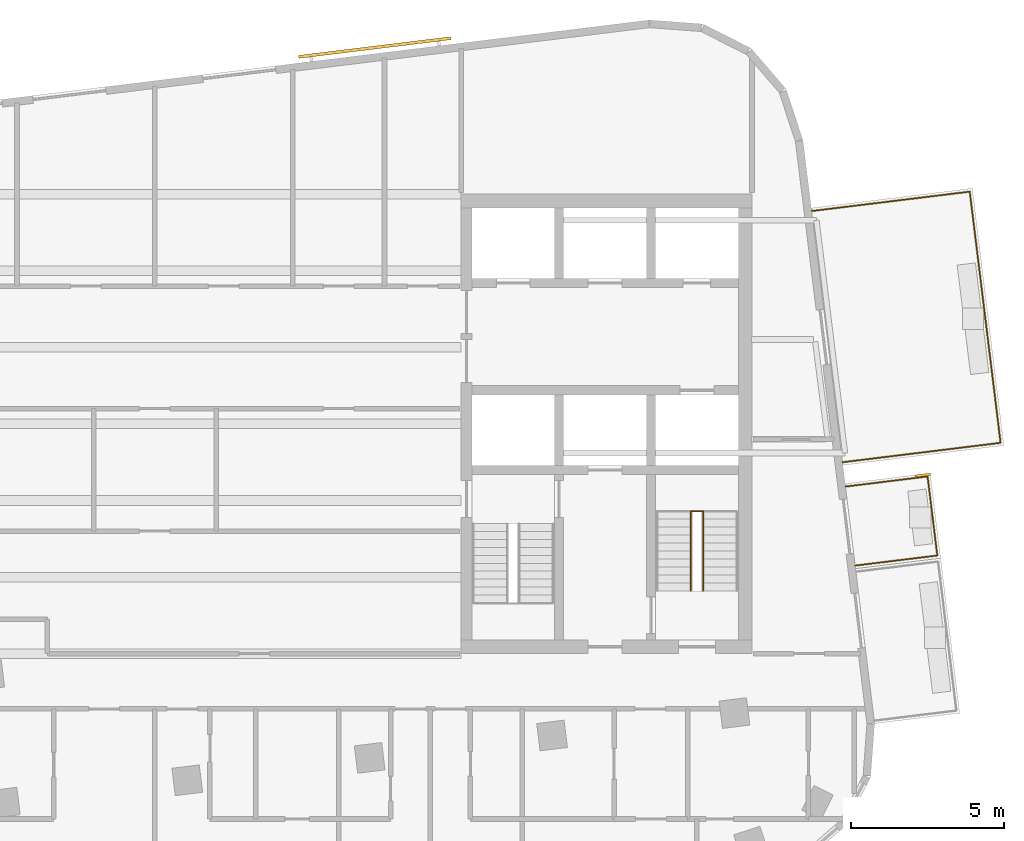
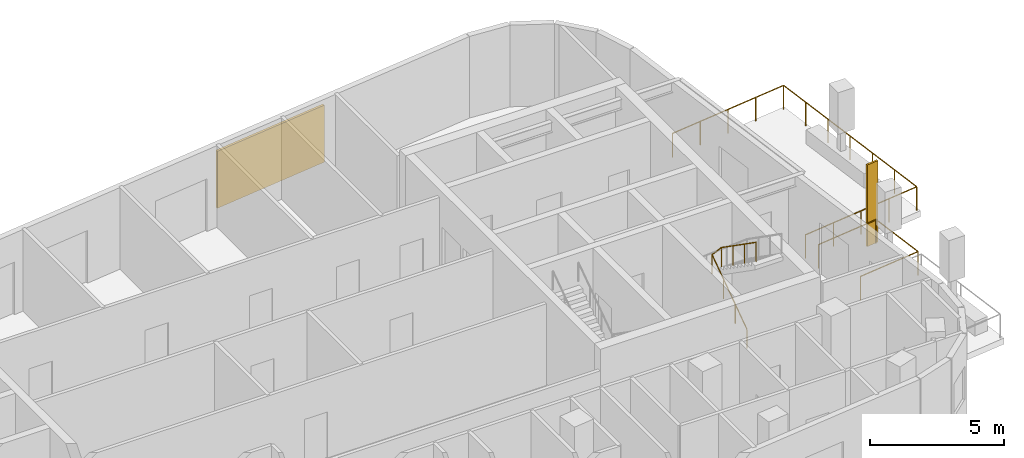
# One storey, part 10 of 11: 3 railings, 2 shading devices.
"""IFC4 building model written with IfcOpenShell, lengths in metres."""

import ifcopenshell
import ifcopenshell.guid

model = None  # the IFC model being written
_history = None  # IfcOwnerHistory: only IFC2X3 demands one
_inside = {}  # id of a spatial element -> (the spatial element, [elements in it])
_under = {}  # id of a project, library or spatial element -> (it, [spatial elements below it])
_declared = {}  # id of a project -> (the project, [libraries it declares])
_typed = {}  # id of a type object -> (the type object, [elements of that type])
_made_of = {}  # id of a material, layer set ... -> (it, [elements and type objects made of it])


def new_model(schema):
    """Start an empty IFC model of exactly this schema.

    Asked for "IFC4X3", IfcOpenShell would pick the latest addendum, in which some entities
    have other attributes; the version numbers below select the first issue.
    IFC2X3 requires an IfcOwnerHistory on every rooted entity: one is made here for all.
    """
    global model, _history
    if schema == "IFC4X3":
        model = ifcopenshell.file(schema_version=(4, 3, 0, 0))
    else:
        model = ifcopenshell.file(schema=schema)
    _inside.clear()
    _under.clear()
    _declared.clear()
    _typed.clear()
    _made_of.clear()
    _history = None
    if model.schema == "IFC2X3":
        org = make("IfcOrganization", Name="unknown")
        user = make(
            "IfcPersonAndOrganization",
            ThePerson=make("IfcPerson", FamilyName="unknown"),
            TheOrganization=org,
        )
        app = make(
            "IfcApplication",
            ApplicationDeveloper=org,
            Version="unknown",
            ApplicationFullName="unknown",
            ApplicationIdentifier="unknown",
        )
        _history = make(
            "IfcOwnerHistory",
            OwningUser=user,
            OwningApplication=app,
            ChangeAction="ADDED",
            CreationDate=0,
        )
    return model


def make(cls, **values):
    """One entity of the class cls with the attributes given. An attribute that is None is left unset."""
    return model.create_entity(
        cls, **{name: value for name, value in values.items() if value is not None}
    )


def rooted(cls, **values):
    """An entity with a GlobalId (a new one), such as an element, a storey or a relation."""
    return make(cls, GlobalId=ifcopenshell.guid.new(), OwnerHistory=_history, **values)


def si_unit(unit_type, name, prefix=None):
    """IfcSIUnit, for example si_unit("LENGTHUNIT", "METRE", prefix="MILLI")."""
    return make("IfcSIUnit", UnitType=unit_type, Prefix=prefix, Name=name)


def assignment(units):
    """IfcUnitAssignment: the units of a project."""
    return None if units is None else make("IfcUnitAssignment", Units=units)


def point(xyz):
    """IfcCartesianPoint."""
    return None if xyz is None else make("IfcCartesianPoint", Coordinates=xyz)


def direction(xyz):
    """IfcDirection."""
    return None if xyz is None else make("IfcDirection", DirectionRatios=xyz)


def frame(location, z_axis=None, x_axis=None):
    """IfcAxis2Placement3D, a coordinate frame: its origin and axes. An axis left out is left unset."""
    return make(
        "IfcAxis2Placement3D",
        Location=point(location),
        Axis=direction(z_axis),
        RefDirection=direction(x_axis),
    )


def frame_2d(location, x_axis=None):
    """IfcAxis2Placement2D, a coordinate frame in the plane: its origin and x axis."""
    return make(
        "IfcAxis2Placement2D", Location=point(location), RefDirection=direction(x_axis)
    )


def origin():
    """The frame at (0, 0, 0) with its axes left unset."""
    return frame((0.0, 0.0, 0.0))


def origin_2d():
    """The frame at (0, 0) in the plane with its x axis left unset."""
    return frame_2d((0.0, 0.0))


def place(relative_to, where):
    """IfcLocalPlacement: puts the frame where relative to a parent placement (None: the world)."""
    return make(
        "IfcLocalPlacement", PlacementRelTo=relative_to, RelativePlacement=where
    )


def context(
    kind, dimensions, precision=None, world=None, true_north=None, identifier=None
):
    """IfcGeometricRepresentationContext, for example the 3D "Model" context."""
    return make(
        "IfcGeometricRepresentationContext",
        ContextIdentifier=identifier,
        ContextType=kind,
        CoordinateSpaceDimension=dimensions,
        Precision=precision,
        WorldCoordinateSystem=world,
        TrueNorth=true_north,
    )


def subcontext(parent, identifier, kind, view, scale=None):
    """IfcGeometricRepresentationSubContext, for example "Body" below "Model"."""
    return make(
        "IfcGeometricRepresentationSubContext",
        ContextIdentifier=identifier,
        ContextType=kind,
        ParentContext=parent,
        TargetScale=scale,
        TargetView=view,
    )


def project(units=None, contexts=None):
    """IfcProject with its units and contexts."""
    return rooted(
        "IfcProject",
        Name="project",
        RepresentationContexts=contexts,
        UnitsInContext=assignment(units),
    )


def spatial(cls, under=None, at=None, **own):
    """A site, building, storey or space (cls), placed at a placement, below another one or the project."""
    s = rooted(cls, ObjectPlacement=at, **own)
    if under is not None:
        _under.setdefault(under.id(), (under, []))[1].append(s)
    return s


def profile(cls, at=None, kind="AREA", **sizes):
    """A parametric profile (cls). Its sizes go by their IFC names, for example OverallWidth=200.0."""
    return make(cls, ProfileType=kind, Position=at, **sizes)


def rectangle(**sizes):
    """IfcRectangleProfileDef."""
    return profile("IfcRectangleProfileDef", **sizes)


def circle(**sizes):
    """IfcCircleProfileDef."""
    return profile("IfcCircleProfileDef", **sizes)


def extrude(swept, where, along, depth):
    """IfcExtrudedAreaSolid: the profile swept, set in the frame where, extruded along a direction by depth."""
    return make(
        "IfcExtrudedAreaSolid",
        SweptArea=swept,
        Position=where,
        ExtrudedDirection=direction(along),
        Depth=depth,
    )


def shape(context_of_items, identifier, shape_type, items):
    """IfcShapeRepresentation: the items that make up one representation, for example the "Body"."""
    return make(
        "IfcShapeRepresentation",
        ContextOfItems=context_of_items,
        RepresentationIdentifier=identifier,
        RepresentationType=shape_type,
        Items=items,
    )


def material(Name=None, Category=None):
    """IfcMaterial."""
    return make("IfcMaterial", Name=Name, Category=Category)


def layer(
    of_material, thickness, ventilated=None, Name=None, Category=None, Priority=None
):
    """IfcMaterialLayer: one layer of a wall or slab, of a material (None: an air gap)."""
    return make(
        "IfcMaterialLayer",
        Material=of_material,
        LayerThickness=thickness,
        IsVentilated=ventilated,
        Name=Name,
        Category=Category,
        Priority=Priority,
    )


def layer_set(layers, Name=None):
    """IfcMaterialLayerSet."""
    return make("IfcMaterialLayerSet", MaterialLayers=layers, LayerSetName=Name)


def made_of(thing, what):
    """Note that an element or type object is made of a material, layer set ...; save() writes the relation."""
    if what is not None:
        _made_of.setdefault(what.id(), (what, []))[1].append(thing)
    return thing


def type_object(cls, material=None, **own):
    """A type object (cls), such as IfcWallType, which elements share."""
    return made_of(rooted(cls, **own), material)


def element(
    cls,
    number,
    at=None,
    inside=None,
    cuts=None,
    type_object=None,
    material=None,
    context=None,
    identifier="Body",
    shape_type=None,
    held_by="IfcProductDefinitionShape",
    body=None,
    shapes=None,
    **own,
):
    """One element of the class cls, such as IfcWall. Its Tag is "e" and its number.

    at: its placement. inside: the storey or other place that contains it. cuts: it is an
    opening in that element (IfcRelVoidsElement). A single representation is given by context,
    identifier, shape_type and body (its items); several are given by shapes. held_by: the class
    of the entity that holds the representations. save() writes the other relations.
    """
    e = rooted(cls, Tag="e%d" % number, ObjectPlacement=at, **own)
    if body is not None:
        shapes = [shape(context, identifier, shape_type, body)]
    if shapes is not None:
        e.Representation = make(held_by, Representations=shapes)
    if inside is not None:
        _inside.setdefault(inside.id(), (inside, []))[1].append(e)
    if cuts is not None:
        rooted(
            "IfcRelVoidsElement", RelatingBuildingElement=cuts, RelatedOpeningElement=e
        )
    if type_object is not None:
        _typed.setdefault(type_object.id(), (type_object, []))[1].append(e)
    return made_of(e, material)


def aggregate(whole, parts):
    """IfcRelAggregates: a whole, such as a stair, and the parts it consists of."""
    return rooted("IfcRelAggregates", RelatingObject=whole, RelatedObjects=parts)


def save(model, path):
    """Write the relations noted so far, then the file.

    IfcRelAggregates (storeys below a building ...), IfcRelContainedInSpatialStructure (elements
    in a storey), IfcRelDefinesByType, IfcRelAssociatesMaterial and IfcRelDeclares: one each for
    every whole, place, type object, material and project.
    """
    for whole, parts in _under.values():
        aggregate(whole, parts)
    for where, things in _inside.values():
        rooted(
            "IfcRelContainedInSpatialStructure",
            RelatedElements=things,
            RelatingStructure=where,
        )
    for kind, things in _typed.values():
        rooted("IfcRelDefinesByType", RelatedObjects=things, RelatingType=kind)
    for what, things in _made_of.values():
        rooted("IfcRelAssociatesMaterial", RelatedObjects=things, RelatingMaterial=what)
    for by, libraries in _declared.values():
        rooted("IfcRelDeclares", RelatingContext=by, RelatedDefinitions=libraries)
    model.write(path)


model = new_model("IFC4")

# Units and contexts
model_context = context("Model", 3, precision=1e-05, world=origin(), true_north=direction((0.0, 1.0)))
body_context = subcontext(model_context, "Body", "Model", "MODEL_VIEW")
ifc_project = project(units=[si_unit("LENGTHUNIT", "METRE"), si_unit("AREAUNIT", "SQUARE_METRE"), si_unit("VOLUMEUNIT", "CUBIC_METRE"), si_unit("PLANEANGLEUNIT", "RADIAN"), si_unit("MASSUNIT", "GRAM", prefix="KILO")], contexts=[model_context])

# Site, building, storey
site_placement = place(None, origin())
site = spatial("IfcSite", under=ifc_project, at=site_placement, CompositionType="ELEMENT")
building_placement = place(site_placement, origin())
building = spatial("IfcBuilding", under=site, at=building_placement, Name="Torana Hotel and Residences", CompositionType="ELEMENT")
storey_placement = place(building_placement, frame((0.0, 0.0, 322.60009765625)))
storey = spatial("IfcBuildingStorey", under=building, at=storey_placement, Name="L85", CompositionType="ELEMENT", Elevation=322.60009765625)

# Shading device
ifc_material_1 = material(Name="Black powder coated aluminium", Category="aluminium")
ifc_layer_1 = layer(ifc_material_1, 0.080078125)
ifc_layer_set_1 = layer_set([ifc_layer_1], Name="FN1 VERTICAL FIN 500x80")
shading_device_type_1 = type_object("IfcShadingDeviceType", Name="FN1 VERTICAL FIN 500x80", PredefinedType="USERDEFINED", material=ifc_layer_set_1)
shading_device_1_placement = place(storey_placement, frame((25.075439453125, -9.17431640625, 0.0), z_axis=(0.0, 0.0, 1.0), x_axis=(0.121867611085, -0.992546364342, 0.0)))
element("IfcShadingDevice", 1, at=shading_device_1_placement, inside=storey, type_object=shading_device_type_1, Name="Fin 11", ObjectType="FIN", PredefinedType="USERDEFINED", context=body_context, shape_type="SweptSolid", body=[
    extrude(rectangle(XDim=0.080078125, YDim=0.5, at=origin_2d()), origin(), (0.0, 0.0, 1.0), 3.719970703125),
])

# Railings
ifc_material_2 = material(Name="Laminated glass balustrade with black handrail", Category="glass")
railing_type_1 = type_object("IfcRailingType", Name="GR1 BALCONY GUARD 1100 GLASS", PredefinedType="GUARDRAIL", material=ifc_material_2)
railing_1_placement = place(storey_placement, frame((22.5517578125, -9.544921875, 0.0)))
element("IfcRailing", 2, at=railing_1_placement, inside=storey, type_object=railing_type_1, Name="Balcony guard 11", PredefinedType="GUARDRAIL", context=body_context, shape_type="SweptSolid", body=[
    extrude(circle(Radius=0.02392578125, at=origin_2d()), frame((0.0, 0.0, 1.076171875), z_axis=(0.992544031017, 0.121886613265, 0.0), x_axis=(-0.121886613265, 0.992544031017, 0.0)), (0.0, 0.0, 1.0), 2.699951171875),
    extrude(circle(Radius=0.02392578125, at=origin_2d()), frame((2.679931640625, 0.3291015625, 1.076171875), z_axis=(0.121803653798, -0.992554215104, 0.0), x_axis=(0.992554215104, 0.121803653798, 0.0)), (0.0, 0.0, 1.0), 2.599609375),
    extrude(circle(Radius=0.02392578125, at=origin_2d()), frame((2.99658203125, -2.251220703125, 1.076171875), z_axis=(-0.992554965996, -0.121797534772, 0.0), x_axis=(0.121797534772, -0.992554965996, 0.0)), (0.0, 0.0, 1.0), 2.699951171875),
    extrude(circle(Radius=0.02099609375, at=origin_2d()), origin(), (0.0, 0.0, 1.0), 1.052001953125),
    extrude(circle(Radius=0.02099609375, at=origin_2d()), frame((2.679931640625, 0.3291015625, 0.0)), (0.0, 0.0, 1.0), 1.052001953125),
    extrude(circle(Radius=0.02099609375, at=origin_2d()), frame((2.99658203125, -2.251220703125, 0.0)), (0.0, 0.0, 1.0), 1.052001953125),
    extrude(circle(Radius=0.02099609375, at=origin_2d()), frame((0.316650390625, -2.580078125, 0.0)), (0.0, 0.0, 1.0), 1.052001953125),
])
railing_2_placement = place(storey_placement, frame((21.447265625, -0.54931640625, 0.0)))
element("IfcRailing", 3, at=railing_2_placement, inside=storey, type_object=railing_type_1, Name="Balcony guard 12", PredefinedType="GUARDRAIL", context=body_context, shape_type="SweptSolid", body=[
    extrude(circle(Radius=0.02392578125, at=origin_2d()), frame((0.0, 0.0, 1.076171875), z_axis=(0.992544252483, 0.121884809813, 0.0), x_axis=(-0.121884809813, 0.992544252483, 0.0)), (0.0, 0.0, 1.0), 5.199951171875),
    extrude(circle(Radius=0.02392578125, at=origin_2d()), frame((5.1611328125, 0.6337890625, 1.076171875), z_axis=(0.121878024543, -0.992545085693, 0.0), x_axis=(0.992545085693, 0.121878024543, 0.0)), (0.0, 0.0, 1.0), 8.262939453125),
    extrude(circle(Radius=0.02392578125, at=origin_2d()), frame((6.168212890625, -7.567626953125, 1.076171875), z_axis=(-0.992544949934, -0.121879130128, 0.0), x_axis=(0.121879130128, -0.992544949934, 0.0)), (0.0, 0.0, 1.0), 5.2001953125),
    extrude(circle(Radius=0.02099609375, at=origin_2d()), origin(), (0.0, 0.0, 1.0), 1.052001953125),
    extrude(circle(Radius=0.02099609375, at=origin_2d()), frame((1.290283203125, 0.158447265625, 0.0)), (0.0, 0.0, 1.0), 1.052001953125),
    extrude(circle(Radius=0.02099609375, at=origin_2d()), frame((2.58056640625, 0.31689453125, 0.0)), (0.0, 0.0, 1.0), 1.052001953125),
    extrude(circle(Radius=0.02099609375, at=origin_2d()), frame((3.870849609375, 0.475341796875, 0.0)), (0.0, 0.0, 1.0), 1.052001953125),
    extrude(circle(Radius=0.02099609375, at=origin_2d()), frame((5.1611328125, 0.6337890625, 0.0)), (0.0, 0.0, 1.0), 1.052001953125),
    extrude(circle(Radius=0.02099609375, at=origin_2d()), frame((5.3291015625, -0.733154296875, 0.0)), (0.0, 0.0, 1.0), 1.052001953125),
    extrude(circle(Radius=0.02099609375, at=origin_2d()), frame((5.496826171875, -2.10009765625, 0.0)), (0.0, 0.0, 1.0), 1.052001953125),
    extrude(circle(Radius=0.02099609375, at=origin_2d()), frame((5.66455078125, -3.466796875, 0.0)), (0.0, 0.0, 1.0), 1.052001953125),
    extrude(circle(Radius=0.02099609375, at=origin_2d()), frame((5.83251953125, -4.833740234375, 0.0)), (0.0, 0.0, 1.0), 1.052001953125),
    extrude(circle(Radius=0.02099609375, at=origin_2d()), frame((6.00048828125, -6.20068359375, 0.0)), (0.0, 0.0, 1.0), 1.052001953125),
    extrude(circle(Radius=0.02099609375, at=origin_2d()), frame((6.168212890625, -7.567626953125, 0.0)), (0.0, 0.0, 1.0), 1.052001953125),
    extrude(circle(Radius=0.02099609375, at=origin_2d()), frame((4.8779296875, -7.72607421875, 0.0)), (0.0, 0.0, 1.0), 1.052001953125),
    extrude(circle(Radius=0.02099609375, at=origin_2d()), frame((3.58740234375, -7.884521484375, 0.0)), (0.0, 0.0, 1.0), 1.052001953125),
    extrude(circle(Radius=0.02099609375, at=origin_2d()), frame((2.297119140625, -8.04296875, 0.0)), (0.0, 0.0, 1.0), 1.052001953125),
    extrude(circle(Radius=0.02099609375, at=origin_2d()), frame((1.0068359375, -8.201416015625, 0.0)), (0.0, 0.0, 1.0), 1.052001953125),
])

# Shading device
ifc_material_3 = material(Name="Concrete C40/50 precast", Category="concrete")
ifc_layer_2 = layer(ifc_material_3, 0.10009765625)
ifc_layer_set_2 = layer_set([ifc_layer_2], Name="SC1 PERFORATED BLOCK SCREEN PANEL 100")
shading_device_type_2 = type_object("IfcShadingDeviceType", Name="SC1 PERFORATED BLOCK SCREEN PANEL 100", PredefinedType="USERDEFINED", material=ifc_layer_set_2)
shading_device_2_placement = place(storey_placement, frame((7.177978515625, 4.788818359375, 0.499755859375), z_axis=(0.0, 0.0, 1.0), x_axis=(-0.99254657704, -0.121865878765, 0.0)))
element("IfcShadingDevice", 4, at=shading_device_2_placement, inside=storey, type_object=shading_device_type_2, Name="Perforated block screen L85", ObjectType="SCREEN", PredefinedType="USERDEFINED", context=body_context, shape_type="SweptSolid", body=[
    extrude(rectangle(XDim=5.0, YDim=0.10009765625, at=origin_2d()), origin(), (0.0, 0.0, 1.0), 2.60009765625),
])

# Railing
ifc_material_4 = material(Name="Stainless steel 316", Category="steel")
railing_type_2 = type_object("IfcRailingType", Name="STAIR HANDRAIL HR1 900", PredefinedType="HANDRAIL", material=ifc_material_4)
railing_3_placement = place(storey_placement, frame((17.5, -12.949951171875, 0.181640625)))
element("IfcRailing", 5, at=railing_3_placement, inside=storey, type_object=railing_type_2, Name="Handrail ST4 L85 I1", PredefinedType="HANDRAIL", context=body_context, shape_type="SweptSolid", body=[
    extrude(circle(Radius=0.02392578125, at=origin_2d()), frame((0.0, 0.0, 0.8759765625), z_axis=(0.0, 0.819459612548, 0.573136932506), x_axis=(-1.0, 0.0, 0.0)), (0.0, 0.0, 1.0), 3.172607421875),
    extrude(circle(Radius=0.02392578125, at=origin_2d()), frame((0.0, 2.599853515625, 2.6943359375), z_axis=(0.910480658332, 0.0, 0.413551654334), x_axis=(0.0, 1.0, 0.0)), (0.0, 0.0, 1.0), 0.439208984375),
    extrude(circle(Radius=0.02392578125, at=origin_2d()), frame((0.39990234375, 2.599853515625, 2.8759765625), z_axis=(0.0, -0.819459612548, 0.573136932506), x_axis=(1.0, 0.0, 0.0)), (0.0, 0.0, 1.0), 3.172607421875),
    extrude(circle(Radius=0.02099609375, at=origin_2d()), origin(), (0.0, 0.0, 1.0), 0.851806640625),
    extrude(circle(Radius=0.02099609375, at=origin_2d()), frame((0.0, 0.86669921875, 0.606201171875)), (0.0, 0.0, 1.0), 0.851806640625),
    extrude(circle(Radius=0.02099609375, at=origin_2d()), frame((0.0, 1.733154296875, 1.212158203125)), (0.0, 0.0, 1.0), 0.851806640625),
    extrude(circle(Radius=0.02099609375, at=origin_2d()), frame((0.0, 2.599853515625, 1.818359375)), (0.0, 0.0, 1.0), 0.851806640625),
    extrude(circle(Radius=0.02099609375, at=origin_2d()), frame((0.39990234375, 2.599853515625, 2.0)), (0.0, 0.0, 1.0), 0.851806640625),
    extrude(circle(Radius=0.02099609375, at=origin_2d()), frame((0.39990234375, 1.733154296875, 2.606201171875)), (0.0, 0.0, 1.0), 0.851806640625),
    extrude(circle(Radius=0.02099609375, at=origin_2d()), frame((0.39990234375, 0.86669921875, 3.212158203125)), (0.0, 0.0, 1.0), 0.851806640625),
    extrude(circle(Radius=0.02099609375, at=origin_2d()), frame((0.39990234375, 0.0, 3.818359375)), (0.0, 0.0, 1.0), 0.851806640625),
])

save(model, "model.ifc")
